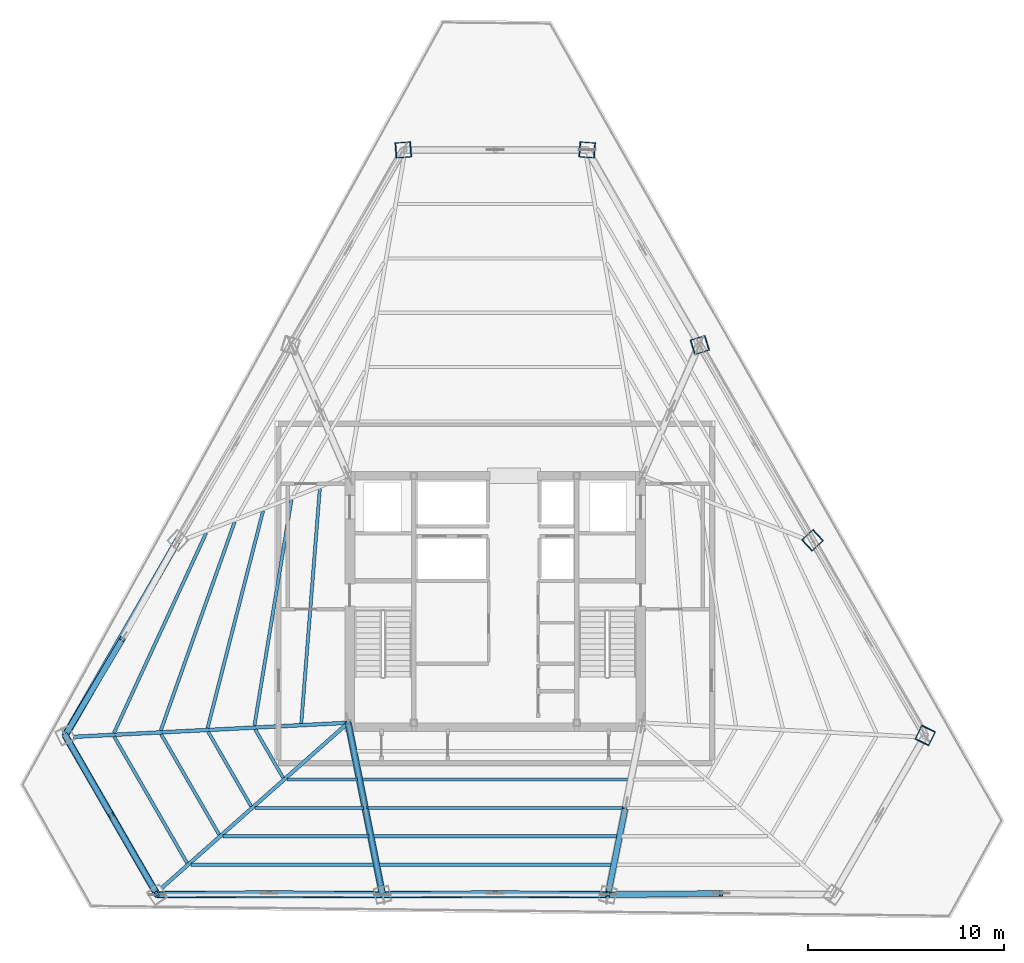
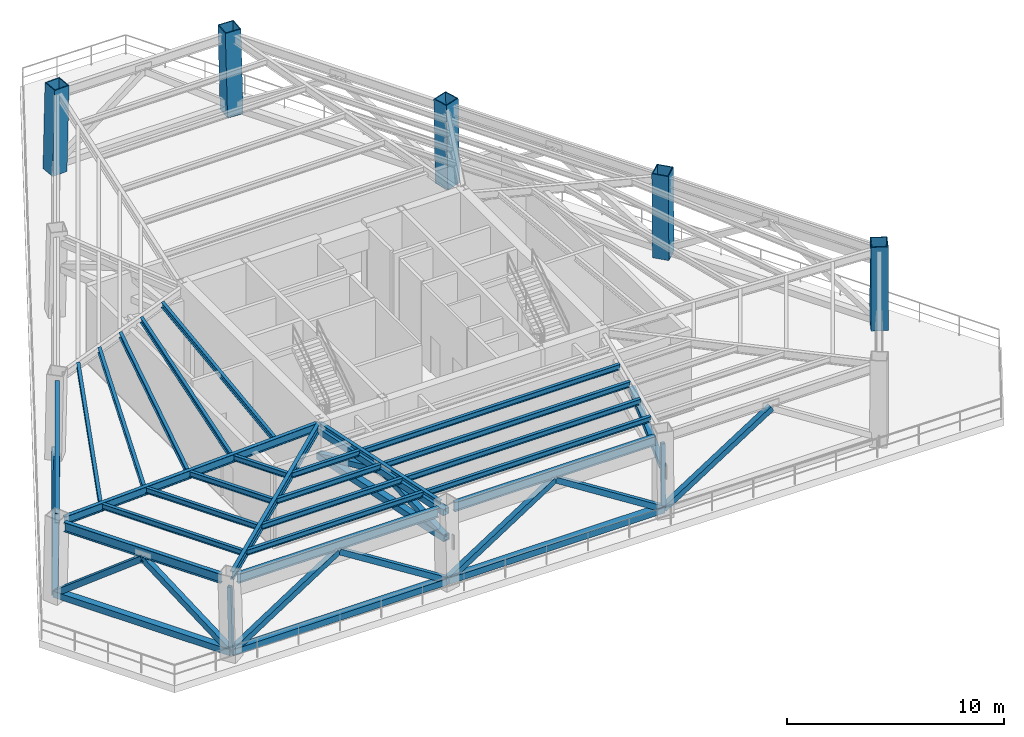
# One storey, part 2 of 10: 24 beams, 19 members, 5 columns.
"""IFC4 building model written with IfcOpenShell, lengths in metres."""

from ifc_helpers import new_model, si_unit, direction, frame, origin, origin_2d, place, context, subcontext, project, spatial, hollow_rectangle, i_section, extrude, source, transform, mapped, material, material_profile, profile_set, type_object, type_shapes, element, save


model = new_model("IFC4")

# Units and contexts
model_context = context("Model", 3, precision=1e-05, world=origin(), true_north=direction((0.0, 1.0)))
body_context = subcontext(model_context, "Body", "Model", "MODEL_VIEW")
ifc_project = project(units=[si_unit("LENGTHUNIT", "METRE"), si_unit("AREAUNIT", "SQUARE_METRE"), si_unit("VOLUMEUNIT", "CUBIC_METRE"), si_unit("PLANEANGLEUNIT", "RADIAN"), si_unit("MASSUNIT", "GRAM", prefix="KILO")], contexts=[model_context])

# Site, building, storey
site_placement = place(None, origin())
site = spatial("IfcSite", under=ifc_project, at=site_placement, CompositionType="ELEMENT")
building_placement = place(site_placement, origin())
building = spatial("IfcBuilding", under=site, at=building_placement, Name="Caelisora Broadcast Tower", CompositionType="ELEMENT")
storey_placement = place(building_placement, frame((0.0, 0.0, 220.550048828125)))
storey = spatial("IfcBuildingStorey", under=building, at=storey_placement, Name="L58", CompositionType="ELEMENT", Elevation=220.550048828125)

# Columns
ifc_material_1 = material(Name="Steel Grade 350 L15 (AS/NZS 3678)", Category="steel")
ifc_material_profile_1 = material_profile(ifc_material_1, hollow_rectangle(XDim=0.800048828125, YDim=0.800048828125, WallThickness=0.044921875, at=origin_2d()), Name="Steel Grade 350 L15 (AS/NZS 3678)")
ifc_profile_set_1 = profile_set([ifc_material_profile_1], Name="Steel Grade 350 L15 (AS/NZS 3678)")
column_type = type_object("IfcColumnType", Name="MC05", PredefinedType="COLUMN", material=ifc_profile_set_1)
shared_shape_1 = source(origin(), body_context, "Body", "SweptSolid", [
    extrude(hollow_rectangle(XDim=0.800048828125, YDim=0.800048828125, WallThickness=0.044921875, at=origin_2d()), origin(), (0.0, 0.0, 1.0), 4.801513671875),
])
for number, where, z_axis, x_axis, name in (
    (1, (42.702392578125, 46.611572265625, 0.0), (-0.023898327692, 0.0017796627, 0.999712810128), (-0.074262458715, -0.99723873131, 0.0), "L58 column MC05"),
    (2, (33.297607421875, 46.611572265625, 0.0), (0.023898327692, 0.0017796627, 0.999712810128), (-0.074262458715, 0.99723873131, 0.0), "L58 column MC05"),
    (3, (59.933349609375, 16.7666015625, 0.0), (-0.01042374304, -0.021559351459, 0.999713228854), (0.900293483537, -0.435283405956, 0.0), "L58 column MC05"),
):
    element("IfcColumn", number, at=place(storey_placement, frame(where, z_axis=z_axis, x_axis=x_axis)), inside=storey, type_object=column_type, Name=name, PredefinedType="COLUMN", context=body_context, shape_type="MappedRepresentation", body=[
        mapped(shared_shape_1, transform((0.0, 0.0, 0.0), scale=1.0)),
    ])
shared_shape_2 = source(origin(), body_context, "Body", "SweptSolid", [
    extrude(hollow_rectangle(XDim=0.800048828125, YDim=0.800048828125, WallThickness=0.044921875, at=origin_2d()), origin(), (0.0, 0.0, 1.0), 4.801025390625),
])
type_shapes(column_type, [shared_shape_1, shared_shape_2])
for number, where, z_axis, x_axis, name in (
    (4, (54.189697265625, 26.71484375, 0.0), (-0.014899529501, -0.013780793498, 0.999794025663), (0.679008224545, -0.734130663438, 0.0), "L58 column MC05"),
    (5, (48.446044921875, 36.6630859375, 0.0), (-0.019425317039, -0.005949638988, 0.999793608128), (0.292854385194, -0.956157052514, 0.0), "L58 column MC05"),
):
    element("IfcColumn", number, at=place(storey_placement, frame(where, z_axis=z_axis, x_axis=x_axis)), inside=storey, type_object=column_type, Name=name, PredefinedType="COLUMN", context=body_context, shape_type="MappedRepresentation", body=[
        mapped(shared_shape_2, transform((0.0, 0.0, 0.0), scale=1.0)),
    ])

# Members
ifc_material_2 = material(Name="Steel Grade 350 (AS/NZS 1163 C350L0)", Category="steel")
ifc_material_profile_2 = material_profile(ifc_material_2, hollow_rectangle(XDim=0.199951171875, YDim=0.199951171875, WallThickness=0.009033203125, at=origin_2d()), Name="Steel Grade 350 (AS/NZS 1163 C350L0)")
ifc_profile_set_2 = profile_set([ifc_material_profile_2], Name="Steel Grade 350 (AS/NZS 1163 C350L0)")
member_type_1 = type_object("IfcMemberType", Name="TR14", PredefinedType="POST", material=ifc_profile_set_2)
shared_shape_3 = source(origin(), body_context, "Body", "SweptSolid", [
    extrude(hollow_rectangle(XDim=0.199951171875, YDim=0.199951171875, WallThickness=0.009033203125, at=origin_2d()), origin(), (0.0, 0.0, 1.0), 3.62109375),
])
member_1_placement = place(storey_placement, frame((20.764404296875, 8.62890625, 0.349853515625), z_axis=(-0.013484137209, 0.019754261011, 0.999713932691), x_axis=(-0.825929039072, -0.563774088104, 0.0)))
element("IfcMember", 6, at=member_1_placement, inside=storey, type_object=member_type_1, Name="L58 transfer post TR14", PredefinedType="POST", context=body_context, shape_type="MappedRepresentation", body=[
    mapped(shared_shape_3, transform((0.0, 0.0, 0.0), scale=1.0)),
])
shared_shape_4 = source(origin(), body_context, "Body", "SweptSolid", [
    extrude(hollow_rectangle(XDim=0.199951171875, YDim=0.199951171875, WallThickness=0.009033203125, at=origin_2d()), origin(), (0.0, 0.0, 1.0), 3.620849609375),
])
type_shapes(member_type_1, [shared_shape_3, shared_shape_4])
member_2_placement = place(storey_placement, frame((43.7451171875, 8.62890625, 0.349853515625), z_axis=(0.004517550585, 0.019755855541, 0.999794627865), x_axis=(-0.974837853252, 0.222915140505, 0.0)))
element("IfcMember", 7, at=member_2_placement, inside=storey, type_object=member_type_1, Name="L58 transfer post TR14", PredefinedType="POST", context=body_context, shape_type="MappedRepresentation", body=[
    mapped(shared_shape_4, transform((0.0, 0.0, 0.0), scale=1.0)),
])

# Beams
ifc_material_3 = material(Name="Steel Grade 350 (AS/NZS 3679.1)", Category="steel")
ifc_material_profile_3 = material_profile(ifc_material_3, i_section(OverallWidth=0.208984375, OverallDepth=0.532958984375, WebThickness=0.01025390625, FlangeThickness=0.015625, at=origin_2d()), Name="Steel Grade 350 (AS/NZS 3679.1)")
ifc_profile_set_3 = profile_set([ifc_material_profile_3], Name="Steel Grade 350 (AS/NZS 3679.1)")
beam_type_1 = type_object("IfcBeamType", Name="PG05", PredefinedType="BEAM", material=ifc_profile_set_3)
shared_shape_5 = source(origin(), body_context, "Body", "SweptSolid", [
    extrude(i_section(OverallWidth=0.208984375, OverallDepth=0.532958984375, WebThickness=0.01025390625, FlangeThickness=0.015625, at=origin_2d()), origin(), (0.0, 0.0, 1.0), 8.34326171875),
])
beam_1_placement = place(storey_placement, frame((16.32470703125, 16.302734375, 4.283447265625), z_axis=(0.499994325412, -0.866028679985, 0.0), x_axis=(0.866028679985, 0.499994325412, 0.0)))
element("IfcBeam", 8, at=beam_1_placement, inside=storey, type_object=beam_type_1, Name="L58 beam PG05", PredefinedType="BEAM", context=body_context, shape_type="MappedRepresentation", body=[
    mapped(shared_shape_5, transform((0.0, 0.0, 0.0), scale=1.0)),
])
shared_shape_6 = source(origin(), body_context, "Body", "SweptSolid", [
    extrude(i_section(OverallWidth=0.208984375, OverallDepth=0.532958984375, WebThickness=0.01025390625, FlangeThickness=0.015625, at=origin_2d()), origin(), (0.0, 0.0, 1.0), 10.698486328125),
])
beam_2_placement = place(storey_placement, frame((21.120361328125, 8.716796875, 4.283447265625), z_axis=(1.0, 0.0, 0.0), x_axis=(0.0, 1.0, 0.0)))
element("IfcBeam", 9, at=beam_2_placement, inside=storey, type_object=beam_type_1, Name="L58 beam PG05", PredefinedType="BEAM", context=body_context, shape_type="MappedRepresentation", body=[
    mapped(shared_shape_6, transform((0.0, 0.0, 0.0), scale=1.0)),
])
shared_shape_7 = source(origin(), body_context, "Body", "SweptSolid", [
    extrude(i_section(OverallWidth=0.208984375, OverallDepth=0.532958984375, WebThickness=0.01025390625, FlangeThickness=0.015625, at=origin_2d()), origin(), (0.0, 0.0, 1.0), 10.6982421875),
])
type_shapes(beam_type_1, [shared_shape_5, shared_shape_6, shared_shape_7])
for number, where, z_axis, x_axis, name in (
    (10, (21.673828125, 26.288330078125, 4.283447265625), (-0.500002304342, -0.866024073368, 0.0), (0.866024073368, -0.500002304342, 0.0), "L58 beam PG05"),
    (11, (32.65087890625, 8.716796875, 4.283447265625), (1.0, 0.0, 0.0), (0.0, 1.0, 0.0), "L58 beam PG05"),
):
    element("IfcBeam", number, at=place(storey_placement, frame(where, z_axis=z_axis, x_axis=x_axis)), inside=storey, type_object=beam_type_1, Name=name, PredefinedType="BEAM", context=body_context, shape_type="MappedRepresentation", body=[
        mapped(shared_shape_7, transform((0.0, 0.0, 0.0), scale=1.0)),
    ])
ifc_material_profile_4 = material_profile(ifc_material_3, i_section(OverallWidth=0.19091796875, OverallDepth=0.46044921875, WebThickness=0.010009765625, FlangeThickness=0.01611328125, at=origin_2d()), Name="Steel Grade 350 (AS/NZS 3679.1)")
ifc_profile_set_4 = profile_set([ifc_material_profile_4], Name="Steel Grade 350 (AS/NZS 3679.1)")
beam_type_2 = type_object("IfcBeamType", Name="PG06", PredefinedType="BEAM", material=ifc_profile_set_4)
shared_shape_8 = source(origin(), body_context, "Body", "SweptSolid", [
    extrude(i_section(OverallWidth=0.19091796875, OverallDepth=0.46044921875, WebThickness=0.010009765625, FlangeThickness=0.01611328125, at=origin_2d()), origin(), (0.0, 0.0, 1.0), 13.96630859375),
])
beam_3_placement = place(storey_placement, frame((30.440185546875, 17.39697265625, 4.31982421875), z_axis=(-0.998690161169, -0.05116602373, 0.0), x_axis=(0.05116602373, -0.998690161169, 0.0)))
element("IfcBeam", 12, at=beam_3_placement, inside=storey, type_object=beam_type_2, Name="L58 beam PG06", PredefinedType="BEAM", context=body_context, shape_type="MappedRepresentation", body=[
    mapped(shared_shape_8, transform((0.0, 0.0, 0.0), scale=1.0)),
])
shared_shape_9 = source(origin(), body_context, "Body", "SweptSolid", [
    extrude(i_section(OverallWidth=0.19091796875, OverallDepth=0.46044921875, WebThickness=0.010009765625, FlangeThickness=0.01611328125, at=origin_2d()), origin(), (0.0, 0.0, 1.0), 12.654052734375),
])
beam_4_placement = place(storey_placement, frame((30.455078125, 17.360107421875, 4.31982421875), z_axis=(-0.748331485363, -0.663324949036, 0.0), x_axis=(0.663324949036, -0.748331485363, 0.0)))
element("IfcBeam", 13, at=beam_4_placement, inside=storey, type_object=beam_type_2, Name="L58 beam PG06", PredefinedType="BEAM", context=body_context, shape_type="MappedRepresentation", body=[
    mapped(shared_shape_9, transform((0.0, 0.0, 0.0), scale=1.0)),
])
shared_shape_10 = source(origin(), body_context, "Body", "SweptSolid", [
    extrude(i_section(OverallWidth=0.19091796875, OverallDepth=0.46044921875, WebThickness=0.010009765625, FlangeThickness=0.01611328125, at=origin_2d()), origin(), (0.0, 0.0, 1.0), 8.418701171875),
])
type_shapes(beam_type_2, [shared_shape_8, shared_shape_9, shared_shape_10])
beam_5_placement = place(storey_placement, frame((30.51171875, 17.34130859375, 4.31982421875), z_axis=(0.195920941992, -0.980619694116, 0.0), x_axis=(0.980619694116, 0.195920941992, 0.0)))
element("IfcBeam", 14, at=beam_5_placement, inside=storey, type_object=beam_type_2, Name="L58 beam PG06", PredefinedType="BEAM", context=body_context, shape_type="MappedRepresentation", body=[
    mapped(shared_shape_10, transform((0.0, 0.0, 0.0), scale=1.0)),
])
ifc_material_profile_5 = material_profile(ifc_material_3, i_section(OverallWidth=0.166015625, OverallDepth=0.30712890625, WebThickness=0.006591796875, FlangeThickness=0.01171875, at=origin_2d()), Name="Steel Grade 350 (AS/NZS 3679.1)")
ifc_profile_set_5 = profile_set([ifc_material_profile_5], Name="Steel Grade 350 (AS/NZS 3679.1)")
beam_type_3 = type_object("IfcBeamType", Name="SB03", PredefinedType="JOIST", material=ifc_profile_set_5)
shared_shape_11 = source(origin(), body_context, "Body", "SweptSolid", [
    extrude(i_section(OverallWidth=0.166015625, OverallDepth=0.30712890625, WebThickness=0.006591796875, FlangeThickness=0.01171875, at=origin_2d()), origin(), (0.0, 0.0, 1.0), 12.006103515625),
])
beam_6_placement = place(storey_placement, frame((29.055419921875, 29.3388671875, 4.396240234375), z_axis=(-0.078736521399, -0.996895461018, 0.0), x_axis=(0.996895461018, -0.078736521399, 0.0)))
element("IfcBeam", 15, at=beam_6_placement, inside=storey, type_object=beam_type_3, Name="L58 beam SB03", PredefinedType="JOIST", context=body_context, shape_type="MappedRepresentation", body=[
    mapped(shared_shape_11, transform((0.0, 0.0, 0.0), scale=1.0)),
])
shared_shape_12 = source(origin(), body_context, "Body", "SweptSolid", [
    extrude(i_section(OverallWidth=0.166015625, OverallDepth=0.30712890625, WebThickness=0.006591796875, FlangeThickness=0.01171875, at=origin_2d()), origin(), (0.0, 0.0, 1.0), 11.682373046875),
])
beam_7_placement = place(storey_placement, frame((27.60986328125, 28.7763671875, 4.396240234375), z_axis=(-0.161710969993, -0.98683816413, 0.0), x_axis=(0.98683816413, -0.161710969993, 0.0)))
element("IfcBeam", 16, at=beam_7_placement, inside=storey, type_object=beam_type_3, Name="L58 beam SB03", PredefinedType="JOIST", context=body_context, shape_type="MappedRepresentation", body=[
    mapped(shared_shape_12, transform((0.0, 0.0, 0.0), scale=1.0)),
])
shared_shape_13 = source(origin(), body_context, "Body", "SweptSolid", [
    extrude(i_section(OverallWidth=0.166015625, OverallDepth=0.30712890625, WebThickness=0.006591796875, FlangeThickness=0.01171875, at=origin_2d()), origin(), (0.0, 0.0, 1.0), 11.443359375),
])
beam_8_placement = place(storey_placement, frame((26.16259765625, 28.21337890625, 4.396240234375), z_axis=(-0.24733168108, -0.968930874487, 0.0), x_axis=(0.968930874487, -0.24733168108, 0.0)))
element("IfcBeam", 17, at=beam_8_placement, inside=storey, type_object=beam_type_3, Name="L58 beam SB03", PredefinedType="JOIST", context=body_context, shape_type="MappedRepresentation", body=[
    mapped(shared_shape_13, transform((0.0, 0.0, 0.0), scale=1.0)),
])
shared_shape_14 = source(origin(), body_context, "Body", "SweptSolid", [
    extrude(i_section(OverallWidth=0.166015625, OverallDepth=0.30712890625, WebThickness=0.006591796875, FlangeThickness=0.01171875, at=origin_2d()), origin(), (0.0, 0.0, 1.0), 11.2939453125),
])
beam_9_placement = place(storey_placement, frame((24.71337890625, 27.64990234375, 4.396240234375), z_axis=(-0.333703079964, -0.94267823483, 0.0), x_axis=(0.94267823483, -0.333703079964, 0.0)))
element("IfcBeam", 18, at=beam_9_placement, inside=storey, type_object=beam_type_3, Name="L58 beam SB03", PredefinedType="JOIST", context=body_context, shape_type="MappedRepresentation", body=[
    mapped(shared_shape_14, transform((0.0, 0.0, 0.0), scale=1.0)),
])
shared_shape_15 = source(origin(), body_context, "Body", "SweptSolid", [
    extrude(i_section(OverallWidth=0.166015625, OverallDepth=0.30712890625, WebThickness=0.006591796875, FlangeThickness=0.01171875, at=origin_2d()), origin(), (0.0, 0.0, 1.0), 11.236328125),
])
beam_10_placement = place(storey_placement, frame((23.261962890625, 27.085205078125, 4.396240234375), z_axis=(-0.418673716148, -0.908136729467, 0.0), x_axis=(0.908136729467, -0.418673716148, 0.0)))
element("IfcBeam", 19, at=beam_10_placement, inside=storey, type_object=beam_type_3, Name="L58 beam SB03", PredefinedType="JOIST", context=body_context, shape_type="MappedRepresentation", body=[
    mapped(shared_shape_15, transform((0.0, 0.0, 0.0), scale=1.0)),
])
shared_shape_16 = source(origin(), body_context, "Body", "SweptSolid", [
    extrude(i_section(OverallWidth=0.166015625, OverallDepth=0.30712890625, WebThickness=0.006591796875, FlangeThickness=0.01171875, at=origin_2d()), origin(), (0.0, 0.0, 1.0), 2.85986328125),
])
beam_11_placement = place(storey_placement, frame((25.757568359375, 17.064208984375, 4.396240234375), z_axis=(0.499986011877, -0.866033479681, 0.0), x_axis=(0.866033479681, 0.499986011877, 0.0)))
element("IfcBeam", 20, at=beam_11_placement, inside=storey, type_object=beam_type_3, Name="L58 beam SB03", PredefinedType="JOIST", context=body_context, shape_type="MappedRepresentation", body=[
    mapped(shared_shape_16, transform((0.0, 0.0, 0.0), scale=1.0)),
])
shared_shape_17 = source(origin(), body_context, "Body", "SweptSolid", [
    extrude(i_section(OverallWidth=0.166015625, OverallDepth=0.30712890625, WebThickness=0.006591796875, FlangeThickness=0.01171875, at=origin_2d()), origin(), (0.0, 0.0, 1.0), 4.38916015625),
])
beam_12_placement = place(storey_placement, frame((23.3603515625, 16.94140625, 4.396240234375), z_axis=(0.500009747863, -0.86601977578, 0.0), x_axis=(0.86601977578, 0.500009747863, 0.0)))
element("IfcBeam", 21, at=beam_12_placement, inside=storey, type_object=beam_type_3, Name="L58 beam SB03", PredefinedType="JOIST", context=body_context, shape_type="MappedRepresentation", body=[
    mapped(shared_shape_17, transform((0.0, 0.0, 0.0), scale=1.0)),
])
shared_shape_18 = source(origin(), body_context, "Body", "SweptSolid", [
    extrude(i_section(OverallWidth=0.166015625, OverallDepth=0.30712890625, WebThickness=0.006591796875, FlangeThickness=0.01171875, at=origin_2d()), origin(), (0.0, 0.0, 1.0), 5.91845703125),
])
beam_13_placement = place(storey_placement, frame((20.963134765625, 16.818603515625, 4.396240234375), z_axis=(0.500003355207, -0.866023466646, 0.0), x_axis=(0.866023466646, 0.500003355207, 0.0)))
element("IfcBeam", 22, at=beam_13_placement, inside=storey, type_object=beam_type_3, Name="L58 beam SB03", PredefinedType="JOIST", context=body_context, shape_type="MappedRepresentation", body=[
    mapped(shared_shape_18, transform((0.0, 0.0, 0.0), scale=1.0)),
])
shared_shape_19 = source(origin(), body_context, "Body", "SweptSolid", [
    extrude(i_section(OverallWidth=0.166015625, OverallDepth=0.30712890625, WebThickness=0.006591796875, FlangeThickness=0.01171875, at=origin_2d()), origin(), (0.0, 0.0, 1.0), 7.44775390625),
])
beam_14_placement = place(storey_placement, frame((18.56591796875, 16.69580078125, 4.396240234375), z_axis=(0.499999587908, -0.866025641706, 0.0), x_axis=(0.866025641706, 0.499999587908, 0.0)))
element("IfcBeam", 23, at=beam_14_placement, inside=storey, type_object=beam_type_3, Name="L58 beam SB03", PredefinedType="JOIST", context=body_context, shape_type="MappedRepresentation", body=[
    mapped(shared_shape_19, transform((0.0, 0.0, 0.0), scale=1.0)),
])
shared_shape_20 = source(origin(), body_context, "Body", "SweptSolid", [
    extrude(i_section(OverallWidth=0.166015625, OverallDepth=0.30712890625, WebThickness=0.006591796875, FlangeThickness=0.01171875, at=origin_2d()), origin(), (0.0, 0.0, 1.0), 3.608154296875),
])
beam_15_placement = place(storey_placement, frame((27.375732421875, 14.505615234375, 4.396240234375), z_axis=(1.0, 0.0, 0.0), x_axis=(0.0, 1.0, 0.0)))
element("IfcBeam", 24, at=beam_15_placement, inside=storey, type_object=beam_type_3, Name="L58 beam SB03", PredefinedType="JOIST", context=body_context, shape_type="MappedRepresentation", body=[
    mapped(shared_shape_20, transform((0.0, 0.0, 0.0), scale=1.0)),
])
shared_shape_21 = source(origin(), body_context, "Body", "SweptSolid", [
    extrude(i_section(OverallWidth=0.166015625, OverallDepth=0.30712890625, WebThickness=0.006591796875, FlangeThickness=0.01171875, at=origin_2d()), origin(), (0.0, 0.0, 1.0), 5.52978515625),
])
beam_16_placement = place(storey_placement, frame((25.7431640625, 13.05859375, 4.396240234375), z_axis=(1.0, 0.0, 0.0), x_axis=(0.0, 1.0, 0.0)))
element("IfcBeam", 25, at=beam_16_placement, inside=storey, type_object=beam_type_3, Name="L58 beam SB03", PredefinedType="JOIST", context=body_context, shape_type="MappedRepresentation", body=[
    mapped(shared_shape_21, transform((0.0, 0.0, 0.0), scale=1.0)),
])
shared_shape_22 = source(origin(), body_context, "Body", "SweptSolid", [
    extrude(i_section(OverallWidth=0.166015625, OverallDepth=0.30712890625, WebThickness=0.006591796875, FlangeThickness=0.01171875, at=origin_2d()), origin(), (0.0, 0.0, 1.0), 7.451416015625),
])
beam_17_placement = place(storey_placement, frame((24.110595703125, 11.611328125, 4.396240234375), z_axis=(1.0, 0.0, 0.0), x_axis=(0.0, 1.0, 0.0)))
element("IfcBeam", 26, at=beam_17_placement, inside=storey, type_object=beam_type_3, Name="L58 beam SB03", PredefinedType="JOIST", context=body_context, shape_type="MappedRepresentation", body=[
    mapped(shared_shape_22, transform((0.0, 0.0, 0.0), scale=1.0)),
])
shared_shape_23 = source(origin(), body_context, "Body", "SweptSolid", [
    extrude(i_section(OverallWidth=0.166015625, OverallDepth=0.30712890625, WebThickness=0.006591796875, FlangeThickness=0.01171875, at=origin_2d()), origin(), (0.0, 0.0, 1.0), 9.37353515625),
])
beam_18_placement = place(storey_placement, frame((22.477783203125, 10.1640625, 4.396240234375), z_axis=(1.0, 0.0, 0.0), x_axis=(0.0, 1.0, 0.0)))
element("IfcBeam", 27, at=beam_18_placement, inside=storey, type_object=beam_type_3, Name="L58 beam SB03", PredefinedType="JOIST", context=body_context, shape_type="MappedRepresentation", body=[
    mapped(shared_shape_23, transform((0.0, 0.0, 0.0), scale=1.0)),
])
shared_shape_24 = source(origin(), body_context, "Body", "SweptSolid", [
    extrude(i_section(OverallWidth=0.166015625, OverallDepth=0.30712890625, WebThickness=0.006591796875, FlangeThickness=0.01171875, at=origin_2d()), origin(), (0.0, 0.0, 1.0), 13.65478515625),
])
beam_19_placement = place(storey_placement, frame((31.172607421875, 14.505615234375, 4.396240234375), z_axis=(1.0, 0.0, 0.0), x_axis=(0.0, 1.0, 0.0)))
element("IfcBeam", 28, at=beam_19_placement, inside=storey, type_object=beam_type_3, Name="L58 beam SB03", PredefinedType="JOIST", context=body_context, shape_type="MappedRepresentation", body=[
    mapped(shared_shape_24, transform((0.0, 0.0, 0.0), scale=1.0)),
])
shared_shape_25 = source(origin(), body_context, "Body", "SweptSolid", [
    extrude(i_section(OverallWidth=0.166015625, OverallDepth=0.30712890625, WebThickness=0.006591796875, FlangeThickness=0.01171875, at=origin_2d()), origin(), (0.0, 0.0, 1.0), 13.076171875),
])
beam_20_placement = place(storey_placement, frame((31.4619140625, 13.05859375, 4.396240234375), z_axis=(1.0, 0.0, 0.0), x_axis=(0.0, 1.0, 0.0)))
element("IfcBeam", 29, at=beam_20_placement, inside=storey, type_object=beam_type_3, Name="L58 beam SB03", PredefinedType="JOIST", context=body_context, shape_type="MappedRepresentation", body=[
    mapped(shared_shape_25, transform((0.0, 0.0, 0.0), scale=1.0)),
])
shared_shape_26 = source(origin(), body_context, "Body", "SweptSolid", [
    extrude(i_section(OverallWidth=0.166015625, OverallDepth=0.30712890625, WebThickness=0.006591796875, FlangeThickness=0.01171875, at=origin_2d()), origin(), (0.0, 0.0, 1.0), 12.498046875),
])
beam_21_placement = place(storey_placement, frame((31.7509765625, 11.611328125, 4.396240234375), z_axis=(1.0, 0.0, 0.0), x_axis=(0.0, 1.0, 0.0)))
element("IfcBeam", 30, at=beam_21_placement, inside=storey, type_object=beam_type_3, Name="L58 beam SB03", PredefinedType="JOIST", context=body_context, shape_type="MappedRepresentation", body=[
    mapped(shared_shape_26, transform((0.0, 0.0, 0.0), scale=1.0)),
])
shared_shape_27 = source(origin(), body_context, "Body", "SweptSolid", [
    extrude(i_section(OverallWidth=0.166015625, OverallDepth=0.30712890625, WebThickness=0.006591796875, FlangeThickness=0.01171875, at=origin_2d()), origin(), (0.0, 0.0, 1.0), 11.919921875),
])
type_shapes(beam_type_3, [shared_shape_11, shared_shape_12, shared_shape_13, shared_shape_14, shared_shape_15, shared_shape_16, shared_shape_17, shared_shape_18, shared_shape_19, shared_shape_20, shared_shape_21, shared_shape_22, shared_shape_23, shared_shape_24, shared_shape_25, shared_shape_26, shared_shape_27])
beam_22_placement = place(storey_placement, frame((32.0400390625, 10.1640625, 4.396240234375), z_axis=(1.0, 0.0, 0.0), x_axis=(0.0, 1.0, 0.0)))
element("IfcBeam", 31, at=beam_22_placement, inside=storey, type_object=beam_type_3, Name="L58 beam SB03", PredefinedType="JOIST", context=body_context, shape_type="MappedRepresentation", body=[
    mapped(shared_shape_27, transform((0.0, 0.0, 0.0), scale=1.0)),
])

# Members
ifc_material_profile_6 = material_profile(ifc_material_2, hollow_rectangle(XDim=0.35009765625, YDim=0.35009765625, WallThickness=0.01611328125, at=origin_2d()), Name="Steel Grade 350 (AS/NZS 1163 C350L0)")
ifc_profile_set_6 = profile_set([ifc_material_profile_6], Name="Steel Grade 350 (AS/NZS 1163 C350L0)")
member_type_2 = type_object("IfcMemberType", Name="OR05", PredefinedType="CHORD", material=ifc_profile_set_6)
shared_shape_28 = source(origin(), body_context, "Body", "SweptSolid", [
    extrude(hollow_rectangle(XDim=0.35009765625, YDim=0.35009765625, WallThickness=0.01611328125, at=origin_2d()), origin(), (0.0, 0.0, 1.0), 8.897705078125),
])
member_3_placement = place(storey_placement, frame((30.5, 17.39990234375, 2.679931640625), z_axis=(0.196047538599, -0.980594392504, 0.0), x_axis=(0.980594392504, 0.196047538599, 0.0)))
element("IfcMember", 32, at=member_3_placement, inside=storey, type_object=member_type_2, Name="L58 outrigger chord OR05", PredefinedType="CHORD", context=body_context, shape_type="MappedRepresentation", body=[
    mapped(shared_shape_28, transform((0.0, 0.0, 0.0), scale=1.0)),
])
shared_shape_29 = source(origin(), body_context, "Body", "SweptSolid", [
    extrude(hollow_rectangle(XDim=0.35009765625, YDim=0.35009765625, WallThickness=0.01611328125, at=origin_2d()), origin(), (0.0, 0.0, 1.0), 8.8681640625),
])
member_4_placement = place(storey_placement, frame((30.5, 17.39990234375, 4.1298828125), z_axis=(0.195957306642, -0.980612428013, 0.0), x_axis=(0.980612428013, 0.195957306642, 0.0)))
element("IfcMember", 33, at=member_4_placement, inside=storey, type_object=member_type_2, Name="L58 outrigger chord OR05", PredefinedType="CHORD", context=body_context, shape_type="MappedRepresentation", body=[
    mapped(shared_shape_29, transform((0.0, 0.0, 0.0), scale=1.0)),
])
ifc_material_profile_7 = material_profile(ifc_material_2, hollow_rectangle(XDim=0.300048828125, YDim=0.300048828125, WallThickness=0.012451171875, at=origin_2d()), Name="Steel Grade 350 (AS/NZS 1163 C350L0)")
ifc_profile_set_7 = profile_set([ifc_material_profile_7], Name="Steel Grade 350 (AS/NZS 1163 C350L0)")
member_type_3 = type_object("IfcMemberType", Name="OR06", PredefinedType="STRUT", material=ifc_profile_set_7)
shared_shape_30 = source(origin(), body_context, "Body", "SweptSolid", [
    extrude(hollow_rectangle(XDim=0.300048828125, YDim=0.300048828125, WallThickness=0.012451171875, at=origin_2d()), origin(), (0.0, 0.0, 1.0), 4.6650390625),
])
member_5_placement = place(storey_placement, frame((30.5, 17.39990234375, 2.679931640625), z_axis=(0.186252311369, -0.932046548321, 0.310804292559), x_axis=(0.980612428013, 0.195957306642, 0.0)))
element("IfcMember", 34, at=member_5_placement, inside=storey, type_object=member_type_3, Name="L58 outrigger diagonal OR06", PredefinedType="STRUT", context=body_context, shape_type="MappedRepresentation", body=[
    mapped(shared_shape_30, transform((0.0, 0.0, 0.0), scale=1.0)),
])
shared_shape_31 = source(origin(), body_context, "Body", "SweptSolid", [
    extrude(hollow_rectangle(XDim=0.300048828125, YDim=0.300048828125, WallThickness=0.012451171875, at=origin_2d()), origin(), (0.0, 0.0, 1.0), 4.693359375),
])
for number, where, z_axis, x_axis, name in (
    (35, (31.368896484375, 13.0517578125, 4.1298828125), (0.186542172651, -0.93260682412, -0.308944217339), (0.980576468138, 0.196137171728, 0.0), "L58 outrigger diagonal OR06"),
    (36, (44.631103515625, 13.0517578125, 4.1298828125), (-0.186542172651, -0.93260682412, -0.308944217339), (0.980576468138, -0.196137171728, 0.0), "L58 outrigger diagonal OR06"),
):
    element("IfcMember", number, at=place(storey_placement, frame(where, z_axis=z_axis, x_axis=x_axis)), inside=storey, type_object=member_type_3, Name=name, PredefinedType="STRUT", context=body_context, shape_type="MappedRepresentation", body=[
        mapped(shared_shape_31, transform((0.0, 0.0, 0.0), scale=1.0)),
    ])
shared_shape_32 = source(origin(), body_context, "Body", "SweptSolid", [
    extrude(hollow_rectangle(XDim=0.300048828125, YDim=0.300048828125, WallThickness=0.012451171875, at=origin_2d()), origin(), (0.0, 0.0, 1.0), 5.927978515625),
])
member_6_placement = place(storey_placement, frame((20.764404296875, 8.62890625, 0.349853515625), z_axis=(-0.396895554364, 0.685228622341, 0.610684578199), x_axis=(-0.865325379151, -0.501210522832, 0.0)))
element("IfcMember", 37, at=member_6_placement, inside=storey, type_object=member_type_3, Name="L58 belt diagonal OR06", PredefinedType="STRUT", context=body_context, shape_type="MappedRepresentation", body=[
    mapped(shared_shape_32, transform((0.0, 0.0, 0.0), scale=1.0)),
])
shared_shape_33 = source(origin(), body_context, "Body", "SweptSolid", [
    extrude(hollow_rectangle(XDim=0.35009765625, YDim=0.35009765625, WallThickness=0.01611328125, at=origin_2d()), origin(), (0.0, 0.0, 1.0), 11.490478515625),
])
for number, where, z_axis, x_axis, name in (
    (38, (21.8154296875, 26.710205078125, 0.349853515625), (-0.499987299922, -0.866032736054, 0.0), (0.866032736054, -0.499987299922, 0.0), "L58 belt chord OR05"),
    (39, (20.764404296875, 8.62890625, 0.349853515625), (1.0, 0.0, 0.0), (0.0, 1.0, 0.0), "L58 belt chord OR05"),
):
    element("IfcMember", number, at=place(storey_placement, frame(where, z_axis=z_axis, x_axis=x_axis)), inside=storey, type_object=member_type_2, Name=name, PredefinedType="CHORD", context=body_context, shape_type="MappedRepresentation", body=[
        mapped(shared_shape_33, transform((0.0, 0.0, 0.0), scale=1.0)),
    ])
shared_shape_34 = source(origin(), body_context, "Body", "SweptSolid", [
    extrude(hollow_rectangle(XDim=0.300048828125, YDim=0.300048828125, WallThickness=0.012451171875, at=origin_2d()), origin(), (0.0, 0.0, 1.0), 6.763671875),
])
member_7_placement = place(storey_placement, frame((16.0703125, 16.759033203125, 0.349853515625), z_axis=(0.431492846286, 0.726181452366, 0.535233053767), x_axis=(-0.85968703903, 0.510821098746, 0.0)))
element("IfcMember", 40, at=member_7_placement, inside=storey, type_object=member_type_3, Name="L58 belt diagonal OR06", PredefinedType="STRUT", context=body_context, shape_type="MappedRepresentation", body=[
    mapped(shared_shape_34, transform((0.0, 0.0, 0.0), scale=1.0)),
])
shared_shape_35 = source(origin(), body_context, "Body", "SweptSolid", [
    extrude(hollow_rectangle(XDim=0.300048828125, YDim=0.300048828125, WallThickness=0.012451171875, at=origin_2d()), origin(), (0.0, 0.0, 1.0), 6.818603515625),
])
for number, where, z_axis, x_axis, name in (
    (41, (32.2548828125, 8.62890625, 0.349853515625), (-0.847359725363, 0.01049084761, 0.530915659921), (-0.012379681698, -0.999923368804, 0.0), "L58 belt diagonal OR06"),
    (42, (43.7451171875, 8.62890625, 0.349853515625), (0.847359725363, 0.01049084761, 0.530915659921), (-0.012379681698, 0.999923368804, 0.0), "L58 belt diagonal OR06"),
):
    element("IfcMember", number, at=place(storey_placement, frame(where, z_axis=z_axis, x_axis=x_axis)), inside=storey, type_object=member_type_3, Name=name, PredefinedType="STRUT", context=body_context, shape_type="MappedRepresentation", body=[
        mapped(shared_shape_35, transform((0.0, 0.0, 0.0), scale=1.0)),
    ])
shared_shape_36 = source(origin(), body_context, "Body", "SweptSolid", [
    extrude(hollow_rectangle(XDim=0.300048828125, YDim=0.300048828125, WallThickness=0.012451171875, at=origin_2d()), origin(), (0.0, 0.0, 1.0), 6.791015625),
])
for number, where, z_axis, x_axis, name in (
    (43, (32.2548828125, 8.62890625, 0.349853515625), (0.84599852615, 0.010533637947, 0.533081172265), (-0.012450165334, 0.999922493688, 0.0), "L58 belt diagonal OR06"),
    (44, (43.7451171875, 8.62890625, 0.349853515625), (-0.84599852615, 0.010533637947, 0.533081172265), (-0.012450165334, -0.999922493688, 0.0), "L58 belt diagonal OR06"),
):
    element("IfcMember", number, at=place(storey_placement, frame(where, z_axis=z_axis, x_axis=x_axis)), inside=storey, type_object=member_type_3, Name=name, PredefinedType="STRUT", context=body_context, shape_type="MappedRepresentation", body=[
        mapped(shared_shape_36, transform((0.0, 0.0, 0.0), scale=1.0)),
    ])
shared_shape_37 = source(origin(), body_context, "Body", "SweptSolid", [
    extrude(hollow_rectangle(XDim=0.35009765625, YDim=0.35009765625, WallThickness=0.01611328125, at=origin_2d()), origin(), (0.0, 0.0, 1.0), 9.387939453125),
])
member_8_placement = place(storey_placement, frame((16.0703125, 16.759033203125, 0.349853515625), z_axis=(0.500012847165, -0.866017986343, 0.0), x_axis=(0.866017986343, 0.500012847165, 0.0)))
element("IfcMember", 45, at=member_8_placement, inside=storey, type_object=member_type_2, Name="L58 belt chord OR05", PredefinedType="CHORD", context=body_context, shape_type="MappedRepresentation", body=[
    mapped(shared_shape_37, transform((0.0, 0.0, 0.0), scale=1.0)),
])
shared_shape_38 = source(origin(), body_context, "Body", "SweptSolid", [
    extrude(hollow_rectangle(XDim=0.300048828125, YDim=0.300048828125, WallThickness=0.012451171875, at=origin_2d()), origin(), (0.0, 0.0, 1.0), 5.927490234375),
])
member_9_placement = place(storey_placement, frame((16.0703125, 16.759033203125, 0.349853515625), z_axis=(0.394983712774, -0.686299646085, 0.610721427843), x_axis=(0.866709002277, 0.498814099012, 0.0)))
element("IfcMember", 46, at=member_9_placement, inside=storey, type_object=member_type_3, Name="L58 belt diagonal OR06", PredefinedType="STRUT", context=body_context, shape_type="MappedRepresentation", body=[
    mapped(shared_shape_38, transform((0.0, 0.0, 0.0), scale=1.0)),
])
shared_shape_39 = source(origin(), body_context, "Body", "SweptSolid", [
    extrude(hollow_rectangle(XDim=0.300048828125, YDim=0.300048828125, WallThickness=0.012451171875, at=origin_2d()), origin(), (0.0, 0.0, 1.0), 6.763427734375),
])
type_shapes(member_type_3, [shared_shape_30, shared_shape_31, shared_shape_32, shared_shape_34, shared_shape_35, shared_shape_36, shared_shape_38, shared_shape_39])
member_10_placement = place(storey_placement, frame((20.764404296875, 8.62890625, 0.349853515625), z_axis=(0.844630927667, 0.010576386248, 0.535244557265), x_axis=(-0.012520921056, 0.999921610195, 0.0)))
element("IfcMember", 47, at=member_10_placement, inside=storey, type_object=member_type_3, Name="L58 belt diagonal OR06", PredefinedType="STRUT", context=body_context, shape_type="MappedRepresentation", body=[
    mapped(shared_shape_39, transform((0.0, 0.0, 0.0), scale=1.0)),
])
shared_shape_40 = source(origin(), body_context, "Body", "SweptSolid", [
    extrude(hollow_rectangle(XDim=0.35009765625, YDim=0.35009765625, WallThickness=0.01611328125, at=origin_2d()), origin(), (0.0, 0.0, 1.0), 11.490234375),
])
type_shapes(member_type_2, [shared_shape_28, shared_shape_29, shared_shape_33, shared_shape_37, shared_shape_40])
member_11_placement = place(storey_placement, frame((32.2548828125, 8.62890625, 0.349853515625), z_axis=(1.0, 0.0, 0.0), x_axis=(0.0, 1.0, 0.0)))
element("IfcMember", 48, at=member_11_placement, inside=storey, type_object=member_type_2, Name="L58 belt chord OR05", PredefinedType="CHORD", context=body_context, shape_type="MappedRepresentation", body=[
    mapped(shared_shape_40, transform((0.0, 0.0, 0.0), scale=1.0)),
])

save(model, "model.ifc")
